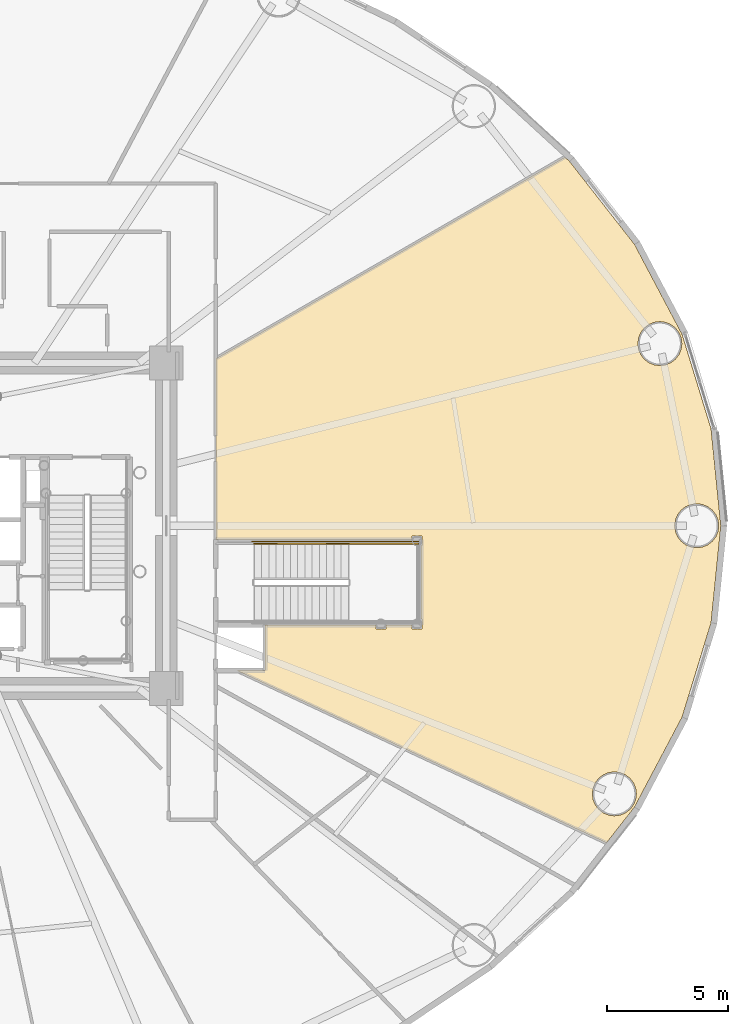
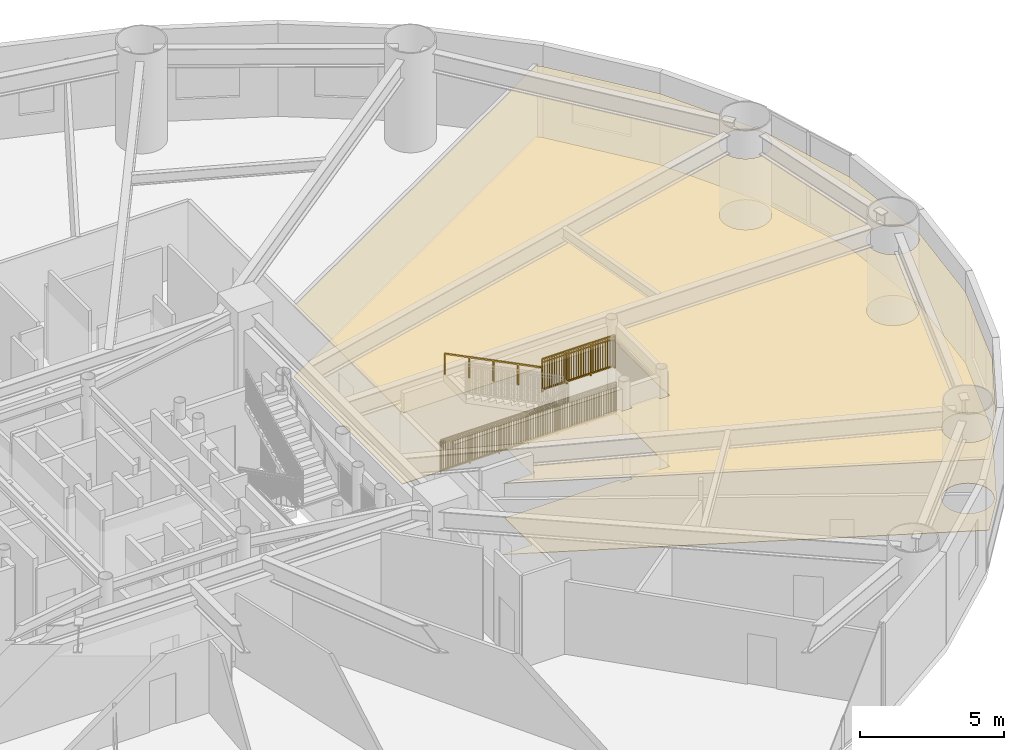
# One storey, part 27 of 27: 3 railings, 2 coverings.
"""IFC4 building model written with IfcOpenShell, lengths in metres."""

from ifc_helpers import new_model, si_unit, direction, frame, origin, origin_2d, place, context, subcontext, project, spatial, polyline, rectangle, outline, extrude, source, transform, mapped, material, layer, layer_set, type_object, element, save


model = new_model("IFC4")

# Units and contexts
model_context = context("Model", 3, precision=1e-05, world=origin(), true_north=direction((0.0, 1.0)))
body_context = subcontext(model_context, "Body", "Model", "MODEL_VIEW")
ifc_project = project(units=[si_unit("LENGTHUNIT", "METRE"), si_unit("AREAUNIT", "SQUARE_METRE"), si_unit("VOLUMEUNIT", "CUBIC_METRE"), si_unit("PLANEANGLEUNIT", "RADIAN"), si_unit("MASSUNIT", "GRAM", prefix="KILO")], contexts=[model_context])

# Site, building, storey
site_placement = place(None, origin())
site = spatial("IfcSite", under=ifc_project, at=site_placement, CompositionType="ELEMENT")
building_placement = place(site_placement, origin())
building = spatial("IfcBuilding", under=site, at=building_placement, Name="Linh Dai School and Residence Tower", CompositionType="ELEMENT")
storey_placement = place(building_placement, frame((0.0, 0.0, 14.39990234375)))
storey = spatial("IfcBuildingStorey", under=building, at=storey_placement, Name="L03", CompositionType="ELEMENT", Elevation=14.39990234375)

# Coverings
ifc_material_1 = material(Name="Mineral Fibre Acoustic Suspended Ceiling", Category="masonry")
ifc_layer_1 = layer(ifc_material_1, 0.02001953125)
ifc_layer_set_1 = layer_set([ifc_layer_1], Name="Mineral Fibre Acoustic Suspended Ceiling")
covering_type_1 = type_object("IfcCoveringType", Name="COV-CEIL-AC-20", PredefinedType="CEILING", material=ifc_layer_set_1)
covering_1_placement = place(storey_placement, frame((0.0, 0.0, 3.0)))
element("IfcCovering", 1, at=covering_1_placement, inside=storey, type_object=covering_type_1, Name="L03 School Learning Commons and Library Suspended Ceiling", PredefinedType="CEILING", context=body_context, shape_type="SweptSolid", body=[
    extrude(outline(polyline([(64.20849609375, 13.84619140625), (48.866943359375, 21.0), (50.050048828125, 21.0), (50.050048828125, 22.8798828125), (54.646728515625, 22.8798828125), (54.646728515625, 22.716796875), (55.05322265625, 22.716796875), (55.05322265625, 22.8798828125), (56.146728515625, 22.8798828125), (56.146728515625, 22.716796875), (56.55322265625, 22.716796875), (56.55322265625, 23.123291015625), (56.52001953125, 23.123291015625), (56.52001953125, 26.1767578125), (56.55322265625, 26.1767578125), (56.55322265625, 26.583251953125), (56.146728515625, 26.583251953125), (56.146728515625, 26.419921875), (48.0, 26.419921875), (48.0, 33.92822265625), (62.482666015625, 42.289794921875), (62.676025390625, 42.1123046875), (65.371826171875, 38.66748046875), (67.34423828125, 34.938720703125), (68.546142578125, 31.017578125), (68.949951171875, 27.0), (68.546142578125, 22.982421875), (67.34423828125, 19.061279296875), (65.371826171875, 15.33251953125), (64.20849609375, 13.84619140625)]), holes=[polyline([(68.73974609375, 26.5439453125), (68.830810546875, 26.763916015625), (68.862060546875, 27.0), (68.830810546875, 27.236083984375), (68.73974609375, 27.4560546875), (68.594970703125, 27.64501953125), (68.406005859375, 27.789794921875), (68.18603515625, 27.880859375), (67.949951171875, 27.912109375), (67.714111328125, 27.880859375), (67.493896484375, 27.789794921875), (67.30517578125, 27.64501953125), (67.16015625, 27.4560546875), (67.069091796875, 27.236083984375), (67.0380859375, 27.0), (67.069091796875, 26.763916015625), (67.16015625, 26.5439453125), (67.30517578125, 26.35498046875), (67.493896484375, 26.210205078125), (67.714111328125, 26.119140625), (67.949951171875, 26.087890625), (68.18603515625, 26.119140625), (68.406005859375, 26.210205078125), (68.594970703125, 26.35498046875), (68.73974609375, 26.5439453125)]), polyline([(67.210205078125, 34.099365234375), (67.301513671875, 34.3193359375), (67.33251953125, 34.555419921875), (67.301513671875, 34.79150390625), (67.210205078125, 35.011474609375), (67.0654296875, 35.2001953125), (66.87646484375, 35.34521484375), (66.656494140625, 35.436279296875), (66.42041015625, 35.46728515625), (66.1845703125, 35.436279296875), (65.964599609375, 35.34521484375), (65.775634765625, 35.2001953125), (65.630615234375, 35.011474609375), (65.53955078125, 34.79150390625), (65.508544921875, 34.555419921875), (65.53955078125, 34.3193359375), (65.630615234375, 34.099365234375), (65.775634765625, 33.910400390625), (65.964599609375, 33.765625), (66.1845703125, 33.674560546875), (66.42041015625, 33.643310546875), (66.656494140625, 33.674560546875), (66.87646484375, 33.765625), (67.0654296875, 33.910400390625), (67.210205078125, 34.099365234375)]), polyline([(65.41455078125, 15.641845703125), (65.44580078125, 15.8779296875), (65.41455078125, 16.114013671875), (65.323486328125, 16.333984375), (65.178466796875, 16.522705078125), (64.98974609375, 16.667724609375), (64.769775390625, 16.7587890625), (64.53369140625, 16.789794921875), (64.297607421875, 16.7587890625), (64.07763671875, 16.667724609375), (63.888916015625, 16.522705078125), (63.743896484375, 16.333984375), (63.652587890625, 16.114013671875), (63.62158203125, 15.8779296875), (63.652587890625, 15.641845703125), (63.743896484375, 15.421875), (63.888916015625, 15.233154296875), (64.07763671875, 15.088134765625), (64.297607421875, 14.9970703125), (64.53369140625, 14.9658203125), (64.769775390625, 14.9970703125), (64.98974609375, 15.088134765625), (65.178466796875, 15.233154296875), (65.323486328125, 15.421875), (65.41455078125, 15.641845703125)])]), origin(), (0.0, 0.0, 1.0), 0.02001953125),
])
ifc_material_2 = material(Name="Polished Terrazzo Floor Finish", Category="masonry")
ifc_layer_2 = layer(ifc_material_2, 0.02490234375)
ifc_layer_set_2 = layer_set([ifc_layer_2], Name="Polished Terrazzo Floor Finish")
covering_type_2 = type_object("IfcCoveringType", Name="COV-FLR-TRZ-25", PredefinedType="FLOORING", material=ifc_layer_set_2)
covering_2_placement = place(storey_placement, origin())
element("IfcCovering", 2, at=covering_2_placement, inside=storey, type_object=covering_type_2, Name="L03 School Learning Commons and Library Floor Finish", PredefinedType="FLOORING", context=body_context, shape_type="SweptSolid", body=[
    extrude(outline(polyline([(64.20849609375, 13.84619140625), (48.866943359375, 21.0), (50.050048828125, 21.0), (50.050048828125, 22.8798828125), (54.646728515625, 22.8798828125), (54.646728515625, 22.716796875), (55.05322265625, 22.716796875), (55.05322265625, 22.8798828125), (56.146728515625, 22.8798828125), (56.146728515625, 22.716796875), (56.55322265625, 22.716796875), (56.55322265625, 23.123291015625), (56.52001953125, 23.123291015625), (56.52001953125, 26.1767578125), (56.55322265625, 26.1767578125), (56.55322265625, 26.583251953125), (56.146728515625, 26.583251953125), (56.146728515625, 26.419921875), (48.0, 26.419921875), (48.0, 33.92822265625), (62.482666015625, 42.289794921875), (62.676025390625, 42.1123046875), (65.371826171875, 38.66748046875), (67.34423828125, 34.938720703125), (68.546142578125, 31.017578125), (68.949951171875, 27.0), (68.546142578125, 22.982421875), (67.34423828125, 19.061279296875), (65.371826171875, 15.33251953125), (64.20849609375, 13.84619140625)]), holes=[polyline([(68.73974609375, 26.5439453125), (68.830810546875, 26.763916015625), (68.862060546875, 27.0), (68.830810546875, 27.236083984375), (68.73974609375, 27.4560546875), (68.594970703125, 27.64501953125), (68.406005859375, 27.789794921875), (68.18603515625, 27.880859375), (67.949951171875, 27.912109375), (67.714111328125, 27.880859375), (67.493896484375, 27.789794921875), (67.30517578125, 27.64501953125), (67.16015625, 27.4560546875), (67.069091796875, 27.236083984375), (67.0380859375, 27.0), (67.069091796875, 26.763916015625), (67.16015625, 26.5439453125), (67.30517578125, 26.35498046875), (67.493896484375, 26.210205078125), (67.714111328125, 26.119140625), (67.949951171875, 26.087890625), (68.18603515625, 26.119140625), (68.406005859375, 26.210205078125), (68.594970703125, 26.35498046875), (68.73974609375, 26.5439453125)]), polyline([(67.210205078125, 34.099365234375), (67.301513671875, 34.3193359375), (67.33251953125, 34.555419921875), (67.301513671875, 34.79150390625), (67.210205078125, 35.011474609375), (67.0654296875, 35.2001953125), (66.87646484375, 35.34521484375), (66.656494140625, 35.436279296875), (66.42041015625, 35.46728515625), (66.1845703125, 35.436279296875), (65.964599609375, 35.34521484375), (65.775634765625, 35.2001953125), (65.630615234375, 35.011474609375), (65.53955078125, 34.79150390625), (65.508544921875, 34.555419921875), (65.53955078125, 34.3193359375), (65.630615234375, 34.099365234375), (65.775634765625, 33.910400390625), (65.964599609375, 33.765625), (66.1845703125, 33.674560546875), (66.42041015625, 33.643310546875), (66.656494140625, 33.674560546875), (66.87646484375, 33.765625), (67.0654296875, 33.910400390625), (67.210205078125, 34.099365234375)]), polyline([(65.41455078125, 15.641845703125), (65.44580078125, 15.8779296875), (65.41455078125, 16.114013671875), (65.323486328125, 16.333984375), (65.178466796875, 16.522705078125), (64.98974609375, 16.667724609375), (64.769775390625, 16.7587890625), (64.53369140625, 16.789794921875), (64.297607421875, 16.7587890625), (64.07763671875, 16.667724609375), (63.888916015625, 16.522705078125), (63.743896484375, 16.333984375), (63.652587890625, 16.114013671875), (63.62158203125, 15.8779296875), (63.652587890625, 15.641845703125), (63.743896484375, 15.421875), (63.888916015625, 15.233154296875), (64.07763671875, 15.088134765625), (64.297607421875, 14.9970703125), (64.53369140625, 14.9658203125), (64.769775390625, 14.9970703125), (64.98974609375, 15.088134765625), (65.178466796875, 15.233154296875), (65.323486328125, 15.421875), (65.41455078125, 15.641845703125)])]), origin(), (0.0, 0.0, 1.0), 0.02001953125),
])

# Railings
ifc_material_3 = material(Name="Brushed Stainless Steel Handrail", Category="steel")
railing_type_1 = type_object("IfcRailingType", Name="RL-ST-HANDRAIL-900", PredefinedType="HANDRAIL", material=ifc_material_3)
shared_shape_1 = source(origin(), body_context, "Body", "SweptSolid", [
    extrude(rectangle(XDim=0.048095703125, YDim=0.048095703125, at=origin_2d()), frame((0.0, 0.0, 0.8759765625), z_axis=(-0.894404793364, 0.0, 0.447258387967), x_axis=(0.0, -1.0, 0.0)), (0.0, 0.0, 1.0), 4.3603515625),
    extrude(rectangle(XDim=0.0419921875, YDim=0.0419921875, at=origin_2d()), origin(), (0.0, 0.0, 1.0), 0.8759765625),
    extrude(rectangle(XDim=0.0419921875, YDim=0.0419921875, at=origin_2d()), frame((-0.97509765625, 0.0, 0.487548828125)), (0.0, 0.0, 1.0), 0.8759765625),
    extrude(rectangle(XDim=0.0419921875, YDim=0.0419921875, at=origin_2d()), frame((-1.949951171875, 0.0, 0.97509765625)), (0.0, 0.0, 1.0), 0.8759765625),
    extrude(rectangle(XDim=0.0419921875, YDim=0.0419921875, at=origin_2d()), frame((-2.9248046875, 0.0, 1.462646484375)), (0.0, 0.0, 1.0), 0.8759765625),
    extrude(rectangle(XDim=0.0419921875, YDim=0.0419921875, at=origin_2d()), frame((-3.89990234375, 0.0, 1.9501953125)), (0.0, 0.0, 1.0), 0.8759765625),
])
railing_1_placement = place(storey_placement, frame((53.5, 26.25, 2.25)))
element("IfcRailing", 3, at=railing_1_placement, inside=storey, type_object=railing_type_1, Name="L03 STS2 stair handrail 2", PredefinedType="HANDRAIL", context=body_context, shape_type="MappedRepresentation", body=[
    mapped(shared_shape_1, transform((0.0, 0.0, 0.0), x_axis=(1.0, 0.0, 0.0), y_axis=(0.0, 1.0, 0.0), z_axis=(0.0, 0.0, 1.0), scale=1.0)),
])
ifc_material_4 = material(Name="Structural Steel S355JR", Category="steel")
railing_type_2 = type_object("IfcRailingType", Name="RL-ST-GUARD-1400", PredefinedType="GUARDRAIL", material=ifc_material_4)
shared_shape_2 = source(origin(), body_context, "Body", "SweptSolid", [
    extrude(rectangle(XDim=0.048095703125, YDim=0.048095703125, at=origin_2d()), frame((0.0, 0.0, 1.3759765625), z_axis=(1.0, 0.0, 0.0), x_axis=(0.0, 1.0, 0.0)), (0.0, 0.0, 1.0), 2.89990234375),
    extrude(rectangle(XDim=0.048095703125, YDim=0.048095703125, at=origin_2d()), frame((0.0, 0.0, 0.10009765625), z_axis=(1.0, 0.0, 0.0), x_axis=(0.0, 1.0, 0.0)), (0.0, 0.0, 1.0), 2.89990234375),
    extrude(rectangle(XDim=0.030029296875, YDim=0.030029296875, at=origin_2d()), frame((0.0, 0.0, 1.239990234375), z_axis=(1.0, 0.0, 0.0), x_axis=(0.0, 1.0, 0.0)), (0.0, 0.0, 1.0), 2.89990234375),
    extrude(rectangle(XDim=0.02001953125, YDim=0.02001953125, at=origin_2d()), frame((0.0966796875, 0.0, 0.10009765625)), (0.0, 0.0, 1.0), 1.251708984375),
    extrude(rectangle(XDim=0.02001953125, YDim=0.02001953125, at=origin_2d()), frame((0.193359375, 0.0, 0.10009765625)), (0.0, 0.0, 1.0), 1.251708984375),
    extrude(rectangle(XDim=0.02001953125, YDim=0.02001953125, at=origin_2d()), frame((0.2900390625, 0.0, 0.10009765625)), (0.0, 0.0, 1.0), 1.251708984375),
    extrude(rectangle(XDim=0.02001953125, YDim=0.02001953125, at=origin_2d()), frame((0.38671875, 0.0, 0.10009765625)), (0.0, 0.0, 1.0), 1.251708984375),
    extrude(rectangle(XDim=0.02001953125, YDim=0.02001953125, at=origin_2d()), frame((0.4833984375, 0.0, 0.10009765625)), (0.0, 0.0, 1.0), 1.251708984375),
    extrude(rectangle(XDim=0.02001953125, YDim=0.02001953125, at=origin_2d()), frame((0.580078125, 0.0, 0.10009765625)), (0.0, 0.0, 1.0), 1.251708984375),
    extrude(rectangle(XDim=0.02001953125, YDim=0.02001953125, at=origin_2d()), frame((0.6767578125, 0.0, 0.10009765625)), (0.0, 0.0, 1.0), 1.251708984375),
    extrude(rectangle(XDim=0.02001953125, YDim=0.02001953125, at=origin_2d()), frame((0.773193359375, 0.0, 0.10009765625)), (0.0, 0.0, 1.0), 1.251708984375),
    extrude(rectangle(XDim=0.02001953125, YDim=0.02001953125, at=origin_2d()), frame((0.869873046875, 0.0, 0.10009765625)), (0.0, 0.0, 1.0), 1.251708984375),
    extrude(rectangle(XDim=0.02001953125, YDim=0.02001953125, at=origin_2d()), frame((1.063232421875, 0.0, 0.10009765625)), (0.0, 0.0, 1.0), 1.251708984375),
    extrude(rectangle(XDim=0.02001953125, YDim=0.02001953125, at=origin_2d()), frame((1.159912109375, 0.0, 0.10009765625)), (0.0, 0.0, 1.0), 1.251708984375),
    extrude(rectangle(XDim=0.02001953125, YDim=0.02001953125, at=origin_2d()), frame((1.256591796875, 0.0, 0.10009765625)), (0.0, 0.0, 1.0), 1.251708984375),
    extrude(rectangle(XDim=0.02001953125, YDim=0.02001953125, at=origin_2d()), frame((1.353271484375, 0.0, 0.10009765625)), (0.0, 0.0, 1.0), 1.251708984375),
    extrude(rectangle(XDim=0.02001953125, YDim=0.02001953125, at=origin_2d()), frame((1.449951171875, 0.0, 0.10009765625)), (0.0, 0.0, 1.0), 1.251708984375),
    extrude(rectangle(XDim=0.02001953125, YDim=0.02001953125, at=origin_2d()), frame((1.546630859375, 0.0, 0.10009765625)), (0.0, 0.0, 1.0), 1.251708984375),
    extrude(rectangle(XDim=0.02001953125, YDim=0.02001953125, at=origin_2d()), frame((1.643310546875, 0.0, 0.10009765625)), (0.0, 0.0, 1.0), 1.251708984375),
    extrude(rectangle(XDim=0.02001953125, YDim=0.02001953125, at=origin_2d()), frame((1.739990234375, 0.0, 0.10009765625)), (0.0, 0.0, 1.0), 1.251708984375),
    extrude(rectangle(XDim=0.02001953125, YDim=0.02001953125, at=origin_2d()), frame((1.836669921875, 0.0, 0.10009765625)), (0.0, 0.0, 1.0), 1.251708984375),
    extrude(rectangle(XDim=0.02001953125, YDim=0.02001953125, at=origin_2d()), frame((2.030029296875, 0.0, 0.10009765625)), (0.0, 0.0, 1.0), 1.251708984375),
    extrude(rectangle(XDim=0.02001953125, YDim=0.02001953125, at=origin_2d()), frame((2.126708984375, 0.0, 0.10009765625)), (0.0, 0.0, 1.0), 1.251708984375),
    extrude(rectangle(XDim=0.02001953125, YDim=0.02001953125, at=origin_2d()), frame((2.22314453125, 0.0, 0.10009765625)), (0.0, 0.0, 1.0), 1.251708984375),
    extrude(rectangle(XDim=0.02001953125, YDim=0.02001953125, at=origin_2d()), frame((2.31982421875, 0.0, 0.10009765625)), (0.0, 0.0, 1.0), 1.251708984375),
    extrude(rectangle(XDim=0.02001953125, YDim=0.02001953125, at=origin_2d()), frame((2.41650390625, 0.0, 0.10009765625)), (0.0, 0.0, 1.0), 1.251708984375),
    extrude(rectangle(XDim=0.02001953125, YDim=0.02001953125, at=origin_2d()), frame((2.51318359375, 0.0, 0.10009765625)), (0.0, 0.0, 1.0), 1.251708984375),
    extrude(rectangle(XDim=0.02001953125, YDim=0.02001953125, at=origin_2d()), frame((2.60986328125, 0.0, 0.10009765625)), (0.0, 0.0, 1.0), 1.251708984375),
    extrude(rectangle(XDim=0.02001953125, YDim=0.02001953125, at=origin_2d()), frame((2.70654296875, 0.0, 0.10009765625)), (0.0, 0.0, 1.0), 1.251708984375),
    extrude(rectangle(XDim=0.02001953125, YDim=0.02001953125, at=origin_2d()), frame((2.80322265625, 0.0, 0.10009765625)), (0.0, 0.0, 1.0), 1.251708984375),
    extrude(rectangle(XDim=0.0419921875, YDim=0.0419921875, at=origin_2d()), origin(), (0.0, 0.0, 1.0), 1.3759765625),
    extrude(rectangle(XDim=0.0419921875, YDim=0.0419921875, at=origin_2d()), frame((0.966552734375, 0.0, 0.0)), (0.0, 0.0, 1.0), 1.3759765625),
    extrude(rectangle(XDim=0.0419921875, YDim=0.0419921875, at=origin_2d()), frame((1.933349609375, 0.0, 0.0)), (0.0, 0.0, 1.0), 1.3759765625),
    extrude(rectangle(XDim=0.0419921875, YDim=0.0419921875, at=origin_2d()), frame((2.89990234375, 0.0, 0.0)), (0.0, 0.0, 1.0), 1.3759765625),
])
railing_2_placement = place(storey_placement, frame((53.5, 26.25, 2.10009765625)))
element("IfcRailing", 4, at=railing_2_placement, inside=storey, type_object=railing_type_2, Name="L03 STS2 stair guard 4", PredefinedType="GUARDRAIL", context=body_context, shape_type="MappedRepresentation", body=[
    mapped(shared_shape_2, transform((0.0, 0.0, 0.0), x_axis=(1.0, 0.0, 0.0), y_axis=(0.0, 1.0, 0.0), z_axis=(0.0, 0.0, 1.0), scale=1.0)),
])
shared_shape_3 = source(origin(), body_context, "Body", "SweptSolid", [
    extrude(rectangle(XDim=0.048095703125, YDim=0.048095703125, at=origin_2d()), frame((0.0, 0.0, 1.3759765625), z_axis=(1.0, 0.0, 0.0), x_axis=(0.0, 1.0, 0.0)), (0.0, 0.0, 1.0), 7.0),
    extrude(rectangle(XDim=0.048095703125, YDim=0.048095703125, at=origin_2d()), frame((0.0, 0.0, 0.10009765625), z_axis=(1.0, 0.0, 0.0), x_axis=(0.0, 1.0, 0.0)), (0.0, 0.0, 1.0), 7.0),
    extrude(rectangle(XDim=0.030029296875, YDim=0.030029296875, at=origin_2d()), frame((0.0, 0.0, 1.239990234375), z_axis=(1.0, 0.0, 0.0), x_axis=(0.0, 1.0, 0.0)), (0.0, 0.0, 1.0), 7.0),
    extrude(rectangle(XDim=0.02001953125, YDim=0.02001953125, at=origin_2d()), frame((0.09716796875, 0.0, 0.10009765625)), (0.0, 0.0, 1.0), 1.251708984375),
    extrude(rectangle(XDim=0.02001953125, YDim=0.02001953125, at=origin_2d()), frame((0.1943359375, 0.0, 0.10009765625)), (0.0, 0.0, 1.0), 1.251708984375),
    extrude(rectangle(XDim=0.02001953125, YDim=0.02001953125, at=origin_2d()), frame((0.291748046875, 0.0, 0.10009765625)), (0.0, 0.0, 1.0), 1.251708984375),
    extrude(rectangle(XDim=0.02001953125, YDim=0.02001953125, at=origin_2d()), frame((0.388916015625, 0.0, 0.10009765625)), (0.0, 0.0, 1.0), 1.251708984375),
    extrude(rectangle(XDim=0.02001953125, YDim=0.02001953125, at=origin_2d()), frame((0.486083984375, 0.0, 0.10009765625)), (0.0, 0.0, 1.0), 1.251708984375),
    extrude(rectangle(XDim=0.02001953125, YDim=0.02001953125, at=origin_2d()), frame((0.583251953125, 0.0, 0.10009765625)), (0.0, 0.0, 1.0), 1.251708984375),
    extrude(rectangle(XDim=0.02001953125, YDim=0.02001953125, at=origin_2d()), frame((0.6806640625, 0.0, 0.10009765625)), (0.0, 0.0, 1.0), 1.251708984375),
    extrude(rectangle(XDim=0.02001953125, YDim=0.02001953125, at=origin_2d()), frame((0.77783203125, 0.0, 0.10009765625)), (0.0, 0.0, 1.0), 1.251708984375),
    extrude(rectangle(XDim=0.02001953125, YDim=0.02001953125, at=origin_2d()), frame((0.875, 0.0, 0.10009765625)), (0.0, 0.0, 1.0), 1.251708984375),
    extrude(rectangle(XDim=0.02001953125, YDim=0.02001953125, at=origin_2d()), frame((0.97216796875, 0.0, 0.10009765625)), (0.0, 0.0, 1.0), 1.251708984375),
    extrude(rectangle(XDim=0.02001953125, YDim=0.02001953125, at=origin_2d()), frame((1.0693359375, 0.0, 0.10009765625)), (0.0, 0.0, 1.0), 1.251708984375),
    extrude(rectangle(XDim=0.02001953125, YDim=0.02001953125, at=origin_2d()), frame((1.263916015625, 0.0, 0.10009765625)), (0.0, 0.0, 1.0), 1.251708984375),
    extrude(rectangle(XDim=0.02001953125, YDim=0.02001953125, at=origin_2d()), frame((1.361083984375, 0.0, 0.10009765625)), (0.0, 0.0, 1.0), 1.251708984375),
    extrude(rectangle(XDim=0.02001953125, YDim=0.02001953125, at=origin_2d()), frame((1.458251953125, 0.0, 0.10009765625)), (0.0, 0.0, 1.0), 1.251708984375),
    extrude(rectangle(XDim=0.02001953125, YDim=0.02001953125, at=origin_2d()), frame((1.5556640625, 0.0, 0.10009765625)), (0.0, 0.0, 1.0), 1.251708984375),
    extrude(rectangle(XDim=0.02001953125, YDim=0.02001953125, at=origin_2d()), frame((1.65283203125, 0.0, 0.10009765625)), (0.0, 0.0, 1.0), 1.251708984375),
    extrude(rectangle(XDim=0.02001953125, YDim=0.02001953125, at=origin_2d()), frame((1.75, 0.0, 0.10009765625)), (0.0, 0.0, 1.0), 1.251708984375),
    extrude(rectangle(XDim=0.02001953125, YDim=0.02001953125, at=origin_2d()), frame((1.84716796875, 0.0, 0.10009765625)), (0.0, 0.0, 1.0), 1.251708984375),
    extrude(rectangle(XDim=0.02001953125, YDim=0.02001953125, at=origin_2d()), frame((1.9443359375, 0.0, 0.10009765625)), (0.0, 0.0, 1.0), 1.251708984375),
    extrude(rectangle(XDim=0.02001953125, YDim=0.02001953125, at=origin_2d()), frame((2.041748046875, 0.0, 0.10009765625)), (0.0, 0.0, 1.0), 1.251708984375),
    extrude(rectangle(XDim=0.02001953125, YDim=0.02001953125, at=origin_2d()), frame((2.138916015625, 0.0, 0.10009765625)), (0.0, 0.0, 1.0), 1.251708984375),
    extrude(rectangle(XDim=0.02001953125, YDim=0.02001953125, at=origin_2d()), frame((2.236083984375, 0.0, 0.10009765625)), (0.0, 0.0, 1.0), 1.251708984375),
    extrude(rectangle(XDim=0.02001953125, YDim=0.02001953125, at=origin_2d()), frame((2.4306640625, 0.0, 0.10009765625)), (0.0, 0.0, 1.0), 1.251708984375),
    extrude(rectangle(XDim=0.02001953125, YDim=0.02001953125, at=origin_2d()), frame((2.52783203125, 0.0, 0.10009765625)), (0.0, 0.0, 1.0), 1.251708984375),
    extrude(rectangle(XDim=0.02001953125, YDim=0.02001953125, at=origin_2d()), frame((2.625, 0.0, 0.10009765625)), (0.0, 0.0, 1.0), 1.251708984375),
    extrude(rectangle(XDim=0.02001953125, YDim=0.02001953125, at=origin_2d()), frame((2.72216796875, 0.0, 0.10009765625)), (0.0, 0.0, 1.0), 1.251708984375),
    extrude(rectangle(XDim=0.02001953125, YDim=0.02001953125, at=origin_2d()), frame((2.8193359375, 0.0, 0.10009765625)), (0.0, 0.0, 1.0), 1.251708984375),
    extrude(rectangle(XDim=0.02001953125, YDim=0.02001953125, at=origin_2d()), frame((2.916748046875, 0.0, 0.10009765625)), (0.0, 0.0, 1.0), 1.251708984375),
    extrude(rectangle(XDim=0.02001953125, YDim=0.02001953125, at=origin_2d()), frame((3.013916015625, 0.0, 0.10009765625)), (0.0, 0.0, 1.0), 1.251708984375),
    extrude(rectangle(XDim=0.02001953125, YDim=0.02001953125, at=origin_2d()), frame((3.111083984375, 0.0, 0.10009765625)), (0.0, 0.0, 1.0), 1.251708984375),
    extrude(rectangle(XDim=0.02001953125, YDim=0.02001953125, at=origin_2d()), frame((3.208251953125, 0.0, 0.10009765625)), (0.0, 0.0, 1.0), 1.251708984375),
    extrude(rectangle(XDim=0.02001953125, YDim=0.02001953125, at=origin_2d()), frame((3.3056640625, 0.0, 0.10009765625)), (0.0, 0.0, 1.0), 1.251708984375),
    extrude(rectangle(XDim=0.02001953125, YDim=0.02001953125, at=origin_2d()), frame((3.40283203125, 0.0, 0.10009765625)), (0.0, 0.0, 1.0), 1.251708984375),
    extrude(rectangle(XDim=0.02001953125, YDim=0.02001953125, at=origin_2d()), frame((3.59716796875, 0.0, 0.10009765625)), (0.0, 0.0, 1.0), 1.251708984375),
    extrude(rectangle(XDim=0.02001953125, YDim=0.02001953125, at=origin_2d()), frame((3.6943359375, 0.0, 0.10009765625)), (0.0, 0.0, 1.0), 1.251708984375),
    extrude(rectangle(XDim=0.02001953125, YDim=0.02001953125, at=origin_2d()), frame((3.791748046875, 0.0, 0.10009765625)), (0.0, 0.0, 1.0), 1.251708984375),
    extrude(rectangle(XDim=0.02001953125, YDim=0.02001953125, at=origin_2d()), frame((3.888916015625, 0.0, 0.10009765625)), (0.0, 0.0, 1.0), 1.251708984375),
    extrude(rectangle(XDim=0.02001953125, YDim=0.02001953125, at=origin_2d()), frame((3.986083984375, 0.0, 0.10009765625)), (0.0, 0.0, 1.0), 1.251708984375),
    extrude(rectangle(XDim=0.02001953125, YDim=0.02001953125, at=origin_2d()), frame((4.083251953125, 0.0, 0.10009765625)), (0.0, 0.0, 1.0), 1.251708984375),
    extrude(rectangle(XDim=0.02001953125, YDim=0.02001953125, at=origin_2d()), frame((4.1806640625, 0.0, 0.10009765625)), (0.0, 0.0, 1.0), 1.251708984375),
    extrude(rectangle(XDim=0.02001953125, YDim=0.02001953125, at=origin_2d()), frame((4.27783203125, 0.0, 0.10009765625)), (0.0, 0.0, 1.0), 1.251708984375),
    extrude(rectangle(XDim=0.02001953125, YDim=0.02001953125, at=origin_2d()), frame((4.375, 0.0, 0.10009765625)), (0.0, 0.0, 1.0), 1.251708984375),
    extrude(rectangle(XDim=0.02001953125, YDim=0.02001953125, at=origin_2d()), frame((4.47216796875, 0.0, 0.10009765625)), (0.0, 0.0, 1.0), 1.251708984375),
    extrude(rectangle(XDim=0.02001953125, YDim=0.02001953125, at=origin_2d()), frame((4.5693359375, 0.0, 0.10009765625)), (0.0, 0.0, 1.0), 1.251708984375),
    extrude(rectangle(XDim=0.02001953125, YDim=0.02001953125, at=origin_2d()), frame((4.763916015625, 0.0, 0.10009765625)), (0.0, 0.0, 1.0), 1.251708984375),
    extrude(rectangle(XDim=0.02001953125, YDim=0.02001953125, at=origin_2d()), frame((4.861083984375, 0.0, 0.10009765625)), (0.0, 0.0, 1.0), 1.251708984375),
    extrude(rectangle(XDim=0.02001953125, YDim=0.02001953125, at=origin_2d()), frame((4.958251953125, 0.0, 0.10009765625)), (0.0, 0.0, 1.0), 1.251708984375),
    extrude(rectangle(XDim=0.02001953125, YDim=0.02001953125, at=origin_2d()), frame((5.0556640625, 0.0, 0.10009765625)), (0.0, 0.0, 1.0), 1.251708984375),
    extrude(rectangle(XDim=0.02001953125, YDim=0.02001953125, at=origin_2d()), frame((5.15283203125, 0.0, 0.10009765625)), (0.0, 0.0, 1.0), 1.251708984375),
    extrude(rectangle(XDim=0.02001953125, YDim=0.02001953125, at=origin_2d()), frame((5.25, 0.0, 0.10009765625)), (0.0, 0.0, 1.0), 1.251708984375),
    extrude(rectangle(XDim=0.02001953125, YDim=0.02001953125, at=origin_2d()), frame((5.34716796875, 0.0, 0.10009765625)), (0.0, 0.0, 1.0), 1.251708984375),
    extrude(rectangle(XDim=0.02001953125, YDim=0.02001953125, at=origin_2d()), frame((5.4443359375, 0.0, 0.10009765625)), (0.0, 0.0, 1.0), 1.251708984375),
    extrude(rectangle(XDim=0.02001953125, YDim=0.02001953125, at=origin_2d()), frame((5.541748046875, 0.0, 0.10009765625)), (0.0, 0.0, 1.0), 1.251708984375),
    extrude(rectangle(XDim=0.02001953125, YDim=0.02001953125, at=origin_2d()), frame((5.638916015625, 0.0, 0.10009765625)), (0.0, 0.0, 1.0), 1.251708984375),
    extrude(rectangle(XDim=0.02001953125, YDim=0.02001953125, at=origin_2d()), frame((5.736083984375, 0.0, 0.10009765625)), (0.0, 0.0, 1.0), 1.251708984375),
    extrude(rectangle(XDim=0.02001953125, YDim=0.02001953125, at=origin_2d()), frame((5.9306640625, 0.0, 0.10009765625)), (0.0, 0.0, 1.0), 1.251708984375),
    extrude(rectangle(XDim=0.02001953125, YDim=0.02001953125, at=origin_2d()), frame((6.02783203125, 0.0, 0.10009765625)), (0.0, 0.0, 1.0), 1.251708984375),
    extrude(rectangle(XDim=0.02001953125, YDim=0.02001953125, at=origin_2d()), frame((6.125, 0.0, 0.10009765625)), (0.0, 0.0, 1.0), 1.251708984375),
    extrude(rectangle(XDim=0.02001953125, YDim=0.02001953125, at=origin_2d()), frame((6.22216796875, 0.0, 0.10009765625)), (0.0, 0.0, 1.0), 1.251708984375),
    extrude(rectangle(XDim=0.02001953125, YDim=0.02001953125, at=origin_2d()), frame((6.3193359375, 0.0, 0.10009765625)), (0.0, 0.0, 1.0), 1.251708984375),
    extrude(rectangle(XDim=0.02001953125, YDim=0.02001953125, at=origin_2d()), frame((6.416748046875, 0.0, 0.10009765625)), (0.0, 0.0, 1.0), 1.251708984375),
    extrude(rectangle(XDim=0.02001953125, YDim=0.02001953125, at=origin_2d()), frame((6.513916015625, 0.0, 0.10009765625)), (0.0, 0.0, 1.0), 1.251708984375),
    extrude(rectangle(XDim=0.02001953125, YDim=0.02001953125, at=origin_2d()), frame((6.611083984375, 0.0, 0.10009765625)), (0.0, 0.0, 1.0), 1.251708984375),
    extrude(rectangle(XDim=0.02001953125, YDim=0.02001953125, at=origin_2d()), frame((6.708251953125, 0.0, 0.10009765625)), (0.0, 0.0, 1.0), 1.251708984375),
    extrude(rectangle(XDim=0.02001953125, YDim=0.02001953125, at=origin_2d()), frame((6.8056640625, 0.0, 0.10009765625)), (0.0, 0.0, 1.0), 1.251708984375),
    extrude(rectangle(XDim=0.02001953125, YDim=0.02001953125, at=origin_2d()), frame((6.90283203125, 0.0, 0.10009765625)), (0.0, 0.0, 1.0), 1.251708984375),
    extrude(rectangle(XDim=0.0419921875, YDim=0.0419921875, at=origin_2d()), origin(), (0.0, 0.0, 1.0), 1.3759765625),
    extrude(rectangle(XDim=0.0419921875, YDim=0.0419921875, at=origin_2d()), frame((1.166748046875, 0.0, 0.0)), (0.0, 0.0, 1.0), 1.3759765625),
    extrude(rectangle(XDim=0.0419921875, YDim=0.0419921875, at=origin_2d()), frame((2.333251953125, 0.0, 0.0)), (0.0, 0.0, 1.0), 1.3759765625),
    extrude(rectangle(XDim=0.0419921875, YDim=0.0419921875, at=origin_2d()), frame((3.5, 0.0, 0.0)), (0.0, 0.0, 1.0), 1.3759765625),
    extrude(rectangle(XDim=0.0419921875, YDim=0.0419921875, at=origin_2d()), frame((4.666748046875, 0.0, 0.0)), (0.0, 0.0, 1.0), 1.3759765625),
    extrude(rectangle(XDim=0.0419921875, YDim=0.0419921875, at=origin_2d()), frame((5.833251953125, 0.0, 0.0)), (0.0, 0.0, 1.0), 1.3759765625),
    extrude(rectangle(XDim=0.0419921875, YDim=0.0419921875, at=origin_2d()), frame((7.0, 0.0, 0.0)), (0.0, 0.0, 1.0), 1.3759765625),
])
railing_3_placement = place(storey_placement, frame((49.5, 26.35009765625, 0.0)))
element("IfcRailing", 5, at=railing_3_placement, inside=storey, type_object=railing_type_2, Name="L03 STS2 stair guard 11", PredefinedType="GUARDRAIL", context=body_context, shape_type="MappedRepresentation", body=[
    mapped(shared_shape_3, transform((0.0, 0.0, 0.0), x_axis=(1.0, 0.0, 0.0), y_axis=(0.0, 1.0, 0.0), z_axis=(0.0, 0.0, 1.0), scale=1.0)),
])

save(model, "model.ifc")
